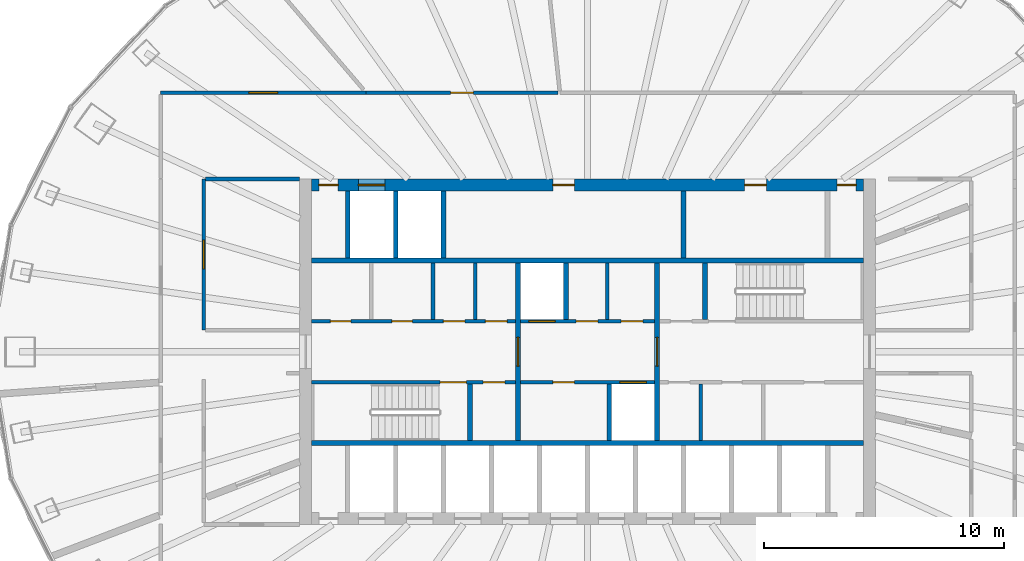
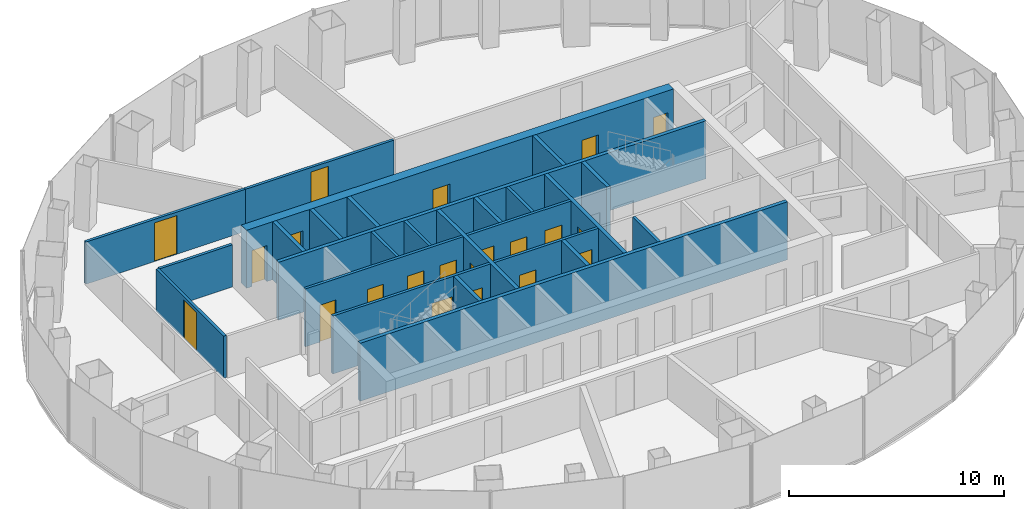
# One storey, part 9 of 12: 25 walls, 21 doors, 21 openings.
"""IFC4 building model written with IfcOpenShell, lengths in metres."""

from ifc_helpers import new_model, si_unit, direction, frame, frame_2d, origin, place, context, subcontext, project, spatial, rectangle, extrude, material, layer, layer_set, type_object, element, fill, save


model = new_model("IFC4")

# Units and contexts
model_context = context("Model", 3, precision=1e-05, world=origin(), true_north=direction((0.0, 1.0)))
body_context = subcontext(model_context, "Body", "Model", "MODEL_VIEW")
ifc_project = project(units=[si_unit("LENGTHUNIT", "METRE"), si_unit("AREAUNIT", "SQUARE_METRE"), si_unit("VOLUMEUNIT", "CUBIC_METRE"), si_unit("PLANEANGLEUNIT", "RADIAN"), si_unit("MASSUNIT", "GRAM", prefix="KILO")], contexts=[model_context])

# Site, building, storey
site_placement = place(None, origin())
site = spatial("IfcSite", under=ifc_project, at=site_placement, CompositionType="ELEMENT")
building_placement = place(site_placement, origin())
building = spatial("IfcBuilding", under=site, at=building_placement, Name="Siaravel Broadcast Tower", CompositionType="ELEMENT")
storey_placement = place(building_placement, frame((0.0, 0.0, 137.800048828125)))
storey = spatial("IfcBuildingStorey", under=building, at=storey_placement, Name="L33", CompositionType="ELEMENT", Elevation=137.800048828125)

# Walls
ifc_material_1 = material(Name="Concrete blockwork", Category="masonry")
ifc_layer_1 = layer(ifc_material_1, 0.14990234375)
ifc_layer_set_1 = layer_set([ifc_layer_1], Name="Concrete blockwork")
wall_type_1 = type_object("IfcWallType", Name="Core partition 150", PredefinedType="PARTITIONING", material=ifc_layer_set_1)
for number, where, z_axis, x_axis, name in (
    (1, (-6.445068359375, 1.35009765625, 0.0), (0.0, 0.0, 1.0), (0.0, 1.0, 0.0), "L33 core partition PNW1"),
    (2, (-4.68505859375, 1.35009765625, 0.0), (0.0, 0.0, 1.0), (0.0, 1.0, 0.0), "L33 core partition PNW2"),
    (3, (4.715087890625, -3.699951171875, 0.0), (0.0, 0.0, 1.0), (0.0, 1.0, 0.0), "L33 core partition PSE0"),
    (4, (0.827392578125, 1.35009765625, 0.0), (0.0, 0.0, 1.0), (0.0, 1.0, 0.0), "L33 core partition PNM0"),
):
    element("IfcWall", number, at=place(storey_placement, frame(where, z_axis=z_axis, x_axis=x_axis)), inside=storey, type_object=wall_type_1, Name=name, PredefinedType="PARTITIONING", context=body_context, shape_type="SweptSolid", body=[
        extrude(rectangle(XDim=2.349853515625, YDim=0.14990234375, at=frame_2d((1.1748046875, 0.0))), origin(), (0.0, 0.0, 1.0), 3.300048828125),
    ])
ifc_layer_2 = layer(ifc_material_1, 0.199951171875)
ifc_layer_set_2 = layer_set([ifc_layer_2], Name="Concrete blockwork")
wall_type_2 = type_object("IfcWallType", Name="Core partition 200", PredefinedType="PARTITIONING", material=ifc_layer_set_2)
wall_1_placement = place(storey_placement, frame((4.0, 3.89990234375, 0.0), z_axis=(0.0, 0.0, 1.0), x_axis=(0.0, 1.0, 0.0)))
element("IfcWall", 5, at=wall_1_placement, inside=storey, type_object=wall_type_2, Name="L33 core partition PFN2", PredefinedType="PARTITIONING", context=body_context, shape_type="SweptSolid", body=[
    extrude(rectangle(XDim=2.800048828125, YDim=0.199951171875, at=frame_2d((1.39990234375, 0.0))), origin(), (0.0, 0.0, 1.0), 3.300048828125),
])

# Wall, openings, doors
ifc_material_2 = material(Name="Concrete C60/75", Category="concrete")
ifc_layer_3 = layer(ifc_material_2, 0.5)
ifc_layer_set_3 = layer_set([ifc_layer_3], Name="Concrete C60/75")
wall_type_3 = type_object("IfcWallType", Name="Core wall 500", PredefinedType="SHEAR", material=ifc_layer_set_3)
wall_2_placement = place(storey_placement, frame((-11.5, 6.949951171875, 0.0), z_axis=(0.0, 0.0, 1.0), x_axis=(1.0, 0.0, 0.0)))
wall_2 = element("IfcWall", 6, at=wall_2_placement, inside=storey, type_object=wall_type_3, Name="L33 core wall ON", PredefinedType="SHEAR", context=body_context, shape_type="SweptSolid", body=[
    extrude(rectangle(XDim=23.0, YDim=0.5, at=frame_2d((11.5, 0.0))), origin(), (0.0, 0.0, 1.0), 3.300048828125),
])
opening_1_placement = place(wall_2_placement, frame((1.949951171875, 0.0, 0.0)))
opening_1 = element("IfcOpeningElement", 7, at=opening_1_placement, cuts=wall_2, Name="Opening LD-SV2-L33", PredefinedType="OPENING", context=body_context, shape_type="SweptSolid", body=[
    extrude(rectangle(XDim=1.10009765625, YDim=2.199951171875, at=frame_2d((0.550048828125, 1.10009765625))), frame((0.0, 0.260009765625, 0.0), z_axis=(0.0, -1.0, 0.0), x_axis=(1.0, 0.0, 0.0)), (0.0, 0.0, 1.0), 0.52001953125),
])
opening_2_placement = place(wall_2_placement, frame((10.050048828125, 0.0, 0.0)))
opening_2 = element("IfcOpeningElement", 8, at=opening_2_placement, cuts=wall_2, Name="Opening L33-DFN2", PredefinedType="OPENING", context=body_context, shape_type="SweptSolid", body=[
    extrude(rectangle(XDim=0.89990234375, YDim=2.10009765625, at=frame_2d((0.449951171875, 1.050048828125))), frame((0.0, 0.260009765625, 0.0), z_axis=(0.0, -1.0, 0.0), x_axis=(1.0, 0.0, 0.0)), (0.0, 0.0, 1.0), 0.52001953125),
])
opening_3_placement = place(wall_2_placement, frame((18.050048828125, 0.0, 0.0)))
opening_3 = element("IfcOpeningElement", 9, at=opening_3_placement, cuts=wall_2, Name="Opening L33-DFN7", PredefinedType="OPENING", context=body_context, shape_type="SweptSolid", body=[
    extrude(rectangle(XDim=0.89990234375, YDim=2.10009765625, at=frame_2d((0.449951171875, 1.050048828125))), frame((0.0, 0.260009765625, 0.0), z_axis=(0.0, -1.0, 0.0), x_axis=(1.0, 0.0, 0.0)), (0.0, 0.0, 1.0), 0.52001953125),
])
opening_4_placement = place(wall_2_placement, frame((0.300048828125, 0.0, 0.0)))
opening_4 = element("IfcOpeningElement", 10, at=opening_4_placement, cuts=wall_2, Name="Opening L33-DRNW", PredefinedType="OPENING", context=body_context, shape_type="SweptSolid", body=[
    extrude(rectangle(XDim=0.800048828125, YDim=2.050048828125, at=frame_2d((0.39990234375, 1.02490234375))), frame((0.0, 0.260009765625, 0.0), z_axis=(0.0, -1.0, 0.0), x_axis=(1.0, 0.0, 0.0)), (0.0, 0.0, 1.0), 0.52001953125),
])
opening_5_placement = place(wall_2_placement, frame((21.89990234375, 0.0, 0.0)))
opening_5 = element("IfcOpeningElement", 11, at=opening_5_placement, cuts=wall_2, Name="Opening L33-DRNE", PredefinedType="OPENING", context=body_context, shape_type="SweptSolid", body=[
    extrude(rectangle(XDim=0.800048828125, YDim=2.050048828125, at=frame_2d((0.39990234375, 1.02490234375))), frame((0.0, 0.260009765625, 0.0), z_axis=(0.0, -1.0, 0.0), x_axis=(1.0, 0.0, 0.0)), (0.0, 0.0, 1.0), 0.52001953125),
])
ifc_material_3 = material(Name="Timber veneer", Category="wood")
door_type_1 = type_object("IfcDoorType", Name="Core room door 900", OperationType="SINGLE_SWING_LEFT", PredefinedType="DOOR", material=ifc_material_3)
door_1_placement = place(opening_2_placement, origin())
door_1 = element("IfcDoor", 12, at=door_1_placement, inside=storey, type_object=door_type_1, Name="L33 door DFN2", OperationType="SINGLE_SWING_LEFT", OverallHeight=2.10009765625, OverallWidth=0.89990234375, PredefinedType="DOOR", context=body_context, shape_type="SweptSolid", body=[
    extrude(rectangle(XDim=0.89990234375, YDim=2.10009765625, at=frame_2d((0.449951171875, 1.050048828125))), frame((0.0, 0.02490234375, 0.0), z_axis=(0.0, -1.0, 0.0), x_axis=(1.0, 0.0, 0.0)), (0.0, 0.0, 1.0), 0.050048828125),
])
fill(opening_2, door_1)
door_2_placement = place(opening_3_placement, origin())
door_2 = element("IfcDoor", 13, at=door_2_placement, inside=storey, type_object=door_type_1, Name="L33 door DFN7", OperationType="SINGLE_SWING_LEFT", OverallHeight=2.10009765625, OverallWidth=0.89990234375, PredefinedType="DOOR", context=body_context, shape_type="SweptSolid", body=[
    extrude(rectangle(XDim=0.89990234375, YDim=2.10009765625, at=frame_2d((0.449951171875, 1.050048828125))), frame((0.0, 0.02490234375, 0.0), z_axis=(0.0, -1.0, 0.0), x_axis=(1.0, 0.0, 0.0)), (0.0, 0.0, 1.0), 0.050048828125),
])
fill(opening_3, door_2)
ifc_material_4 = material(Name="Steel", Category="steel")
door_type_2 = type_object("IfcDoorType", Name="Riser door 800", OperationType="SINGLE_SWING_LEFT", PredefinedType="DOOR", material=ifc_material_4)
door_3_placement = place(opening_4_placement, origin())
door_3 = element("IfcDoor", 14, at=door_3_placement, inside=storey, type_object=door_type_2, Name="L33 door DRNW", OperationType="SINGLE_SWING_LEFT", OverallHeight=2.050048828125, OverallWidth=0.800048828125, PredefinedType="DOOR", context=body_context, shape_type="SweptSolid", body=[
    extrude(rectangle(XDim=0.800048828125, YDim=2.050048828125, at=frame_2d((0.39990234375, 1.02490234375))), frame((0.0, 0.02490234375, 0.0), z_axis=(0.0, -1.0, 0.0), x_axis=(1.0, 0.0, 0.0)), (0.0, 0.0, 1.0), 0.050048828125),
])
fill(opening_4, door_3)
door_4_placement = place(opening_5_placement, origin())
door_4 = element("IfcDoor", 15, at=door_4_placement, inside=storey, type_object=door_type_2, Name="L33 door DRNE", OperationType="SINGLE_SWING_LEFT", OverallHeight=2.050048828125, OverallWidth=0.800048828125, PredefinedType="DOOR", context=body_context, shape_type="SweptSolid", body=[
    extrude(rectangle(XDim=0.800048828125, YDim=2.050048828125, at=frame_2d((0.39990234375, 1.02490234375))), frame((0.0, 0.02490234375, 0.0), z_axis=(0.0, -1.0, 0.0), x_axis=(1.0, 0.0, 0.0)), (0.0, 0.0, 1.0), 0.050048828125),
])
fill(opening_5, door_4)
ifc_material_5 = material(Name="Stainless steel 316L", Category="steel")
door_type_3 = type_object("IfcDoorType", Name="Service lift landing door 1100", OperationType="DOUBLE_DOOR_SLIDING", PredefinedType="DOOR", material=ifc_material_5)
door_5_placement = place(opening_1_placement, origin())
door_5 = element("IfcDoor", 16, at=door_5_placement, inside=storey, type_object=door_type_3, Name="Landing door SV2 L33", OperationType="DOUBLE_DOOR_SLIDING", OverallHeight=2.199951171875, OverallWidth=1.10009765625, PredefinedType="DOOR", context=body_context, shape_type="SweptSolid", body=[
    extrude(rectangle(XDim=1.10009765625, YDim=2.199951171875, at=frame_2d((0.550048828125, 1.10009765625))), frame((0.0, 0.02490234375, 0.0), z_axis=(0.0, -1.0, 0.0), x_axis=(1.0, 0.0, 0.0)), (0.0, 0.0, 1.0), 0.050048828125),
])
fill(opening_1, door_5)

ifc_material_6 = material(Name="Gypsum board partition", Category="gypsum")
ifc_layer_4 = layer(ifc_material_6, 0.14990234375)
ifc_layer_set_4 = layer_set([ifc_layer_4], Name="Gypsum board partition")
wall_type_4 = type_object("IfcWallType", Name="Corridor wall 150", PredefinedType="PARTITIONING", material=ifc_layer_set_4)
wall_3_placement = place(storey_placement, frame((-11.5, 1.27490234375, 0.0), z_axis=(0.0, 0.0, 1.0), x_axis=(1.0, 0.0, 0.0)))
wall_3 = element("IfcWall", 17, at=wall_3_placement, inside=storey, type_object=wall_type_4, Name="L33 core partition CNW", PredefinedType="PARTITIONING", context=body_context, shape_type="SweptSolid", body=[
    extrude(rectangle(XDim=8.5, YDim=0.14990234375, at=frame_2d((4.25, 0.0))), origin(), (0.0, 0.0, 1.0), 3.300048828125),
])
opening_6_placement = place(wall_3_placement, frame((0.782470703125, 0.0, 0.0)))
opening_6 = element("IfcOpeningElement", 18, at=opening_6_placement, cuts=wall_3, Name="Opening L33-DNW0", PredefinedType="OPENING", context=body_context, shape_type="SweptSolid", body=[
    extrude(rectangle(XDim=0.85009765625, YDim=2.10009765625, at=frame_2d((0.425048828125, 1.050048828125))), frame((0.0, 0.0849609375, 0.0), z_axis=(0.0, -1.0, 0.0), x_axis=(1.0, 0.0, 0.0)), (0.0, 0.0, 1.0), 0.169921875),
])
opening_7_placement = place(wall_3_placement, frame((3.347412109375, 0.0, 0.0)))
opening_7 = element("IfcOpeningElement", 19, at=opening_7_placement, cuts=wall_3, Name="Opening L33-DNW1", PredefinedType="OPENING", context=body_context, shape_type="SweptSolid", body=[
    extrude(rectangle(XDim=0.85009765625, YDim=2.10009765625, at=frame_2d((0.425048828125, 1.050048828125))), frame((0.0, 0.0849609375, 0.0), z_axis=(0.0, -1.0, 0.0), x_axis=(1.0, 0.0, 0.0)), (0.0, 0.0, 1.0), 0.169921875),
])
opening_8_placement = place(wall_3_placement, frame((5.485107421875, 0.0, 0.0)))
opening_8 = element("IfcOpeningElement", 20, at=opening_8_placement, cuts=wall_3, Name="Opening L33-DNW2", PredefinedType="OPENING", context=body_context, shape_type="SweptSolid", body=[
    extrude(rectangle(XDim=0.89990234375, YDim=2.10009765625, at=frame_2d((0.449951171875, 1.050048828125))), frame((0.0, 0.0849609375, 0.0), z_axis=(0.0, -1.0, 0.0), x_axis=(1.0, 0.0, 0.0)), (0.0, 0.0, 1.0), 0.169921875),
])
opening_9_placement = place(wall_3_placement, frame((7.2451171875, 0.0, 0.0)))
opening_9 = element("IfcOpeningElement", 21, at=opening_9_placement, cuts=wall_3, Name="Opening L33-DNW3", PredefinedType="OPENING", context=body_context, shape_type="SweptSolid", body=[
    extrude(rectangle(XDim=0.89990234375, YDim=2.10009765625, at=frame_2d((0.449951171875, 1.050048828125))), frame((0.0, 0.0849609375, 0.0), z_axis=(0.0, -1.0, 0.0), x_axis=(1.0, 0.0, 0.0)), (0.0, 0.0, 1.0), 0.169921875),
])
door_6_placement = place(opening_8_placement, origin())
door_6 = element("IfcDoor", 22, at=door_6_placement, inside=storey, type_object=door_type_1, Name="L33 door DNW2", OperationType="SINGLE_SWING_LEFT", OverallHeight=2.10009765625, OverallWidth=0.89990234375, PredefinedType="DOOR", context=body_context, shape_type="SweptSolid", body=[
    extrude(rectangle(XDim=0.89990234375, YDim=2.10009765625, at=frame_2d((0.449951171875, 1.050048828125))), frame((0.0, 0.02490234375, 0.0), z_axis=(0.0, -1.0, 0.0), x_axis=(1.0, 0.0, 0.0)), (0.0, 0.0, 1.0), 0.050048828125),
])
fill(opening_8, door_6)
door_7_placement = place(opening_9_placement, origin())
door_7 = element("IfcDoor", 23, at=door_7_placement, inside=storey, type_object=door_type_1, Name="L33 door DNW3", OperationType="SINGLE_SWING_LEFT", OverallHeight=2.10009765625, OverallWidth=0.89990234375, PredefinedType="DOOR", context=body_context, shape_type="SweptSolid", body=[
    extrude(rectangle(XDim=0.89990234375, YDim=2.10009765625, at=frame_2d((0.449951171875, 1.050048828125))), frame((0.0, 0.02490234375, 0.0), z_axis=(0.0, -1.0, 0.0), x_axis=(1.0, 0.0, 0.0)), (0.0, 0.0, 1.0), 0.050048828125),
])
fill(opening_9, door_7)
door_type_4 = type_object("IfcDoorType", Name="Core toilet door 850", OperationType="SINGLE_SWING_LEFT", PredefinedType="DOOR", material=ifc_material_3)
door_8_placement = place(opening_6_placement, origin())
door_8 = element("IfcDoor", 24, at=door_8_placement, inside=storey, type_object=door_type_4, Name="L33 door DNW0", OperationType="SINGLE_SWING_LEFT", OverallHeight=2.10009765625, OverallWidth=0.85009765625, PredefinedType="DOOR", context=body_context, shape_type="SweptSolid", body=[
    extrude(rectangle(XDim=0.85009765625, YDim=2.10009765625, at=frame_2d((0.425048828125, 1.050048828125))), frame((0.0, 0.02490234375, 0.0), z_axis=(0.0, -1.0, 0.0), x_axis=(1.0, 0.0, 0.0)), (0.0, 0.0, 1.0), 0.050048828125),
])
fill(opening_6, door_8)
door_9_placement = place(opening_7_placement, origin())
door_9 = element("IfcDoor", 25, at=door_9_placement, inside=storey, type_object=door_type_4, Name="L33 door DNW1", OperationType="SINGLE_SWING_LEFT", OverallHeight=2.10009765625, OverallWidth=0.85009765625, PredefinedType="DOOR", context=body_context, shape_type="SweptSolid", body=[
    extrude(rectangle(XDim=0.85009765625, YDim=2.10009765625, at=frame_2d((0.425048828125, 1.050048828125))), frame((0.0, 0.02490234375, 0.0), z_axis=(0.0, -1.0, 0.0), x_axis=(1.0, 0.0, 0.0)), (0.0, 0.0, 1.0), 0.050048828125),
])
fill(opening_7, door_9)

# Wall, opening, door
wall_4_placement = place(storey_placement, frame((-9.232177734375, 10.800048828125, 0.0), z_axis=(0.0, 0.0, 1.0), x_axis=(-1.0, 0.0, 0.0)))
wall_4 = element("IfcWall", 26, at=wall_4_placement, inside=storey, type_object=wall_type_4, Name="L33 partition 7", PredefinedType="PARTITIONING", context=body_context, shape_type="SweptSolid", body=[
    extrude(rectangle(XDim=8.56787109375, YDim=0.14990234375, at=frame_2d((4.283935546875, 0.0))), origin(), (0.0, 0.0, 1.0), 2.39990234375),
])
opening_10_placement = place(wall_4_placement, frame((3.683837890625, 0.0, 0.0)))
opening_10 = element("IfcOpeningElement", 27, at=opening_10_placement, cuts=wall_4, Name="Opening L33-003", PredefinedType="OPENING", context=body_context, shape_type="SweptSolid", body=[
    extrude(rectangle(XDim=1.199951171875, YDim=2.199951171875, at=frame_2d((0.60009765625, 1.10009765625))), frame((0.0, 0.0849609375, 0.0), z_axis=(0.0, -1.0, 0.0), x_axis=(1.0, 0.0, 0.0)), (0.0, 0.0, 1.0), 0.169921875),
])
door_type_5 = type_object("IfcDoorType", Name="Office double door 1200", OperationType="DOUBLE_DOOR_SINGLE_SWING", PredefinedType="DOOR", material=ifc_material_3)
door_10_placement = place(opening_10_placement, origin())
door_10 = element("IfcDoor", 28, at=door_10_placement, inside=storey, type_object=door_type_5, Name="L33 door to Open plan production office", OperationType="DOUBLE_DOOR_SINGLE_SWING", OverallHeight=2.199951171875, OverallWidth=1.199951171875, PredefinedType="DOOR", context=body_context, shape_type="SweptSolid", body=[
    extrude(rectangle(XDim=1.199951171875, YDim=2.199951171875, at=frame_2d((0.60009765625, 1.10009765625))), frame((0.0, 0.02490234375, 0.0), z_axis=(0.0, -1.0, 0.0), x_axis=(1.0, 0.0, 0.0)), (0.0, 0.0, 1.0), 0.050048828125),
])
fill(opening_10, door_10)

wall_5_placement = place(storey_placement, frame((-1.239013671875, 10.800048828125, 0.0), z_axis=(0.0, 0.0, 1.0), x_axis=(-1.0, 0.0, 0.0)))
wall_5 = element("IfcWall", 29, at=wall_5_placement, inside=storey, type_object=wall_type_4, Name="L33 partition 10", PredefinedType="PARTITIONING", context=body_context, shape_type="SweptSolid", body=[
    extrude(rectangle(XDim=7.9921875, YDim=0.14990234375, at=frame_2d((3.99609375, 0.0))), origin(), (0.0, 0.0, 1.0), 2.39990234375),
])
opening_11_placement = place(wall_5_placement, frame((3.52099609375, 0.0, 0.0)))
opening_11 = element("IfcOpeningElement", 30, at=opening_11_placement, cuts=wall_5, Name="Opening L33-002", PredefinedType="OPENING", context=body_context, shape_type="SweptSolid", body=[
    extrude(rectangle(XDim=0.949951171875, YDim=2.14990234375, at=frame_2d((0.47509765625, 1.074951171875))), frame((0.0, 0.0849609375, 0.0), z_axis=(0.0, -1.0, 0.0), x_axis=(1.0, 0.0, 0.0)), (0.0, 0.0, 1.0), 0.169921875),
])
door_type_6 = type_object("IfcDoorType", Name="Office door 950", OperationType="SINGLE_SWING_LEFT", PredefinedType="DOOR", material=ifc_material_3)
door_11_placement = place(opening_11_placement, origin())
door_11 = element("IfcDoor", 31, at=door_11_placement, inside=storey, type_object=door_type_6, Name="L33 door to Design studio", OperationType="SINGLE_SWING_RIGHT", OverallHeight=2.14990234375, OverallWidth=0.949951171875, PredefinedType="DOOR", context=body_context, shape_type="SweptSolid", body=[
    extrude(rectangle(XDim=0.949951171875, YDim=2.14990234375, at=frame_2d((0.47509765625, 1.074951171875))), frame((0.0, 0.02490234375, 0.0), z_axis=(0.0, -1.0, 0.0), x_axis=(1.0, 0.0, 0.0)), (0.0, 0.0, 1.0), 0.050048828125),
])
fill(opening_11, door_11)

wall_6_placement = place(storey_placement, frame((-16.0, 0.89990234375, 0.0), z_axis=(0.0, 0.0, 1.0), x_axis=(0.0, 1.0, 0.0)))
wall_6 = element("IfcWall", 32, at=wall_6_placement, inside=storey, type_object=wall_type_4, Name="L33 partition 15", PredefinedType="PARTITIONING", context=body_context, shape_type="SweptSolid", body=[
    extrude(rectangle(XDim=6.300048828125, YDim=0.14990234375, at=frame_2d((3.14990234375, 0.0))), origin(), (0.0, 0.0, 1.0), 2.39990234375),
])
opening_12_placement = place(wall_6_placement, frame((2.550048828125, 0.0, 0.0)))
opening_12 = element("IfcOpeningElement", 33, at=opening_12_placement, cuts=wall_6, Name="Opening L33-005", PredefinedType="OPENING", context=body_context, shape_type="SweptSolid", body=[
    extrude(rectangle(XDim=1.199951171875, YDim=2.199951171875, at=frame_2d((0.60009765625, 1.10009765625))), frame((0.0, 0.0849609375, 0.0), z_axis=(0.0, -1.0, 0.0), x_axis=(1.0, 0.0, 0.0)), (0.0, 0.0, 1.0), 0.169921875),
])
door_12_placement = place(opening_12_placement, origin())
door_12 = element("IfcDoor", 34, at=door_12_placement, inside=storey, type_object=door_type_5, Name="L33 door to Open plan production office", OperationType="DOUBLE_DOOR_SINGLE_SWING", OverallHeight=2.199951171875, OverallWidth=1.199951171875, PredefinedType="DOOR", context=body_context, shape_type="SweptSolid", body=[
    extrude(rectangle(XDim=1.199951171875, YDim=2.199951171875, at=frame_2d((0.60009765625, 1.10009765625))), frame((0.0, 0.02490234375, 0.0), z_axis=(0.0, -1.0, 0.0), x_axis=(1.0, 0.0, 0.0)), (0.0, 0.0, 1.0), 0.050048828125),
])
fill(opening_12, door_12)

# Wall
wall_7_placement = place(storey_placement, frame((-15.923095703125, 7.199951171875, 0.0), z_axis=(0.0, 0.0, 1.0), x_axis=(1.0, 0.0, 0.0)))
element("IfcWall", 35, at=wall_7_placement, inside=storey, type_object=wall_type_4, Name="L33 partition 27", PredefinedType="PARTITIONING", context=body_context, shape_type="SweptSolid", body=[
    extrude(rectangle(XDim=3.923095703125, YDim=0.14990234375, at=frame_2d((1.96142578125, 0.0))), origin(), (0.0, 0.0, 1.0), 2.39990234375),
])

# Wall, openings, doors
ifc_layer_5 = layer(ifc_material_2, 0.14990234375)
ifc_layer_set_5 = layer_set([ifc_layer_5], Name="Concrete C60/75")
wall_type_5 = type_object("IfcWallType", Name="Shaft wall 150", PredefinedType="SHEAR", material=ifc_layer_set_5)
wall_8_placement = place(storey_placement, frame((-11.5, -1.27490234375, 0.0), z_axis=(0.0, 0.0, 1.0), x_axis=(1.0, 0.0, 0.0)))
wall_8 = element("IfcWall", 36, at=wall_8_placement, inside=storey, type_object=wall_type_5, Name="L33 core wall CSW", PredefinedType="SHEAR", context=body_context, shape_type="SweptSolid", body=[
    extrude(rectangle(XDim=8.5, YDim=0.14990234375, at=frame_2d((4.25, 0.0))), origin(), (0.0, 0.0, 1.0), 3.300048828125),
])
opening_13_placement = place(wall_8_placement, frame((5.35009765625, 0.0, 0.0)))
opening_13 = element("IfcOpeningElement", 37, at=opening_13_placement, cuts=wall_8, Name="Opening L33-DS-1", PredefinedType="OPENING", context=body_context, shape_type="SweptSolid", body=[
    extrude(rectangle(XDim=1.10009765625, YDim=2.14990234375, at=frame_2d((0.550048828125, 1.074951171875))), frame((0.0, 0.0849609375, 0.0), z_axis=(0.0, -1.0, 0.0), x_axis=(1.0, 0.0, 0.0)), (0.0, 0.0, 1.0), 0.169921875),
])
opening_14_placement = place(wall_8_placement, frame((7.14990234375, 0.0, 0.0)))
opening_14 = element("IfcOpeningElement", 38, at=opening_14_placement, cuts=wall_8, Name="Opening L33-DSW0", PredefinedType="OPENING", context=body_context, shape_type="SweptSolid", body=[
    extrude(rectangle(XDim=0.89990234375, YDim=2.10009765625, at=frame_2d((0.449951171875, 1.050048828125))), frame((0.0, 0.0849609375, 0.0), z_axis=(0.0, -1.0, 0.0), x_axis=(1.0, 0.0, 0.0)), (0.0, 0.0, 1.0), 0.169921875),
])
door_13_placement = place(opening_14_placement, origin())
door_13 = element("IfcDoor", 39, at=door_13_placement, inside=storey, type_object=door_type_1, Name="L33 door DSW0", OperationType="SINGLE_SWING_LEFT", OverallHeight=2.10009765625, OverallWidth=0.89990234375, PredefinedType="DOOR", context=body_context, shape_type="SweptSolid", body=[
    extrude(rectangle(XDim=0.89990234375, YDim=2.10009765625, at=frame_2d((0.449951171875, 1.050048828125))), frame((0.0, 0.02490234375, 0.0), z_axis=(0.0, -1.0, 0.0), x_axis=(1.0, 0.0, 0.0)), (0.0, 0.0, 1.0), 0.050048828125),
])
fill(opening_14, door_13)
door_type_7 = type_object("IfcDoorType", Name="Stair door 1100", OperationType="SINGLE_SWING_LEFT", PredefinedType="DOOR", material=ifc_material_4)
door_14_placement = place(opening_13_placement, origin())
door_14 = element("IfcDoor", 40, at=door_14_placement, inside=storey, type_object=door_type_7, Name="L33 door DS-1", OperationType="SINGLE_SWING_LEFT", OverallHeight=2.14990234375, OverallWidth=1.10009765625, PredefinedType="DOOR", context=body_context, shape_type="SweptSolid", body=[
    extrude(rectangle(XDim=1.10009765625, YDim=2.14990234375, at=frame_2d((0.550048828125, 1.074951171875))), frame((0.0, 0.02490234375, 0.0), z_axis=(0.0, -1.0, 0.0), x_axis=(1.0, 0.0, 0.0)), (0.0, 0.0, 1.0), 0.050048828125),
])
fill(opening_13, door_14)

wall_9_placement = place(storey_placement, frame((-2.800048828125, -1.27490234375, 0.0), z_axis=(0.0, 0.0, 1.0), x_axis=(1.0, 0.0, 0.0)))
wall_9 = element("IfcWall", 41, at=wall_9_placement, inside=storey, type_object=wall_type_5, Name="L33 core wall CSM", PredefinedType="SHEAR", context=body_context, shape_type="SweptSolid", body=[
    extrude(rectangle(XDim=5.60009765625, YDim=0.14990234375, at=frame_2d((2.800048828125, 0.0))), origin(), (0.0, 0.0, 1.0), 3.300048828125),
])
opening_15_placement = place(wall_9_placement, frame((4.14990234375, 0.0, 0.0)))
opening_15 = element("IfcOpeningElement", 42, at=opening_15_placement, cuts=wall_9, Name="Opening LD-FL2-L33", PredefinedType="OPENING", context=body_context, shape_type="SweptSolid", body=[
    extrude(rectangle(XDim=1.10009765625, YDim=2.199951171875, at=frame_2d((0.550048828125, 1.10009765625))), frame((0.0, 0.0849609375, 0.0), z_axis=(0.0, -1.0, 0.0), x_axis=(1.0, 0.0, 0.0)), (0.0, 0.0, 1.0), 0.169921875),
])
opening_16_placement = place(wall_9_placement, frame((1.35009765625, 0.0, 0.0)))
opening_16 = element("IfcOpeningElement", 43, at=opening_16_placement, cuts=wall_9, Name="Opening L33-DSM0", PredefinedType="OPENING", context=body_context, shape_type="SweptSolid", body=[
    extrude(rectangle(XDim=0.89990234375, YDim=2.10009765625, at=frame_2d((0.449951171875, 1.050048828125))), frame((0.0, 0.0849609375, 0.0), z_axis=(0.0, -1.0, 0.0), x_axis=(1.0, 0.0, 0.0)), (0.0, 0.0, 1.0), 0.169921875),
])
door_15_placement = place(opening_16_placement, origin())
door_15 = element("IfcDoor", 44, at=door_15_placement, inside=storey, type_object=door_type_1, Name="L33 door DSM0", OperationType="SINGLE_SWING_LEFT", OverallHeight=2.10009765625, OverallWidth=0.89990234375, PredefinedType="DOOR", context=body_context, shape_type="SweptSolid", body=[
    extrude(rectangle(XDim=0.89990234375, YDim=2.10009765625, at=frame_2d((0.449951171875, 1.050048828125))), frame((0.0, 0.02490234375, 0.0), z_axis=(0.0, -1.0, 0.0), x_axis=(1.0, 0.0, 0.0)), (0.0, 0.0, 1.0), 0.050048828125),
])
fill(opening_16, door_15)
door_type_8 = type_object("IfcDoorType", Name="Firefighting lift landing door 1100", OperationType="DOUBLE_DOOR_SLIDING", PredefinedType="DOOR", material=ifc_material_5)
door_16_placement = place(opening_15_placement, origin())
door_16 = element("IfcDoor", 45, at=door_16_placement, inside=storey, type_object=door_type_8, Name="Landing door FL2 L33", OperationType="DOUBLE_DOOR_SLIDING", OverallHeight=2.199951171875, OverallWidth=1.10009765625, PredefinedType="DOOR", context=body_context, shape_type="SweptSolid", body=[
    extrude(rectangle(XDim=1.10009765625, YDim=2.199951171875, at=frame_2d((0.550048828125, 1.10009765625))), frame((0.0, 0.02490234375, 0.0), z_axis=(0.0, -1.0, 0.0), x_axis=(1.0, 0.0, 0.0)), (0.0, 0.0, 1.0), 0.050048828125),
])
fill(opening_15, door_16)

wall_10_placement = place(storey_placement, frame((-2.800048828125, 1.27490234375, 0.0), z_axis=(0.0, 0.0, 1.0), x_axis=(1.0, 0.0, 0.0)))
wall_10 = element("IfcWall", 46, at=wall_10_placement, inside=storey, type_object=wall_type_5, Name="L33 core wall CNM", PredefinedType="SHEAR", context=body_context, shape_type="SweptSolid", body=[
    extrude(rectangle(XDim=5.60009765625, YDim=0.14990234375, at=frame_2d((2.800048828125, 0.0))), origin(), (0.0, 0.0, 1.0), 3.300048828125),
])
opening_17_placement = place(wall_10_placement, frame((0.35009765625, 0.0, 0.0)))
opening_17 = element("IfcOpeningElement", 47, at=opening_17_placement, cuts=wall_10, Name="Opening LD-FL1-L33", PredefinedType="OPENING", context=body_context, shape_type="SweptSolid", body=[
    extrude(rectangle(XDim=1.10009765625, YDim=2.199951171875, at=frame_2d((0.550048828125, 1.10009765625))), frame((0.0, 0.0849609375, 0.0), z_axis=(0.0, -1.0, 0.0), x_axis=(1.0, 0.0, 0.0)), (0.0, 0.0, 1.0), 0.169921875),
])
opening_18_placement = place(wall_10_placement, frame((2.326171875, 0.0, 0.0)))
opening_18 = element("IfcOpeningElement", 48, at=opening_18_placement, cuts=wall_10, Name="Opening L33-DNM0", PredefinedType="OPENING", context=body_context, shape_type="SweptSolid", body=[
    extrude(rectangle(XDim=0.89990234375, YDim=2.10009765625, at=frame_2d((0.449951171875, 1.050048828125))), frame((0.0, 0.0849609375, 0.0), z_axis=(0.0, -1.0, 0.0), x_axis=(1.0, 0.0, 0.0)), (0.0, 0.0, 1.0), 0.169921875),
])
opening_19_placement = place(wall_10_placement, frame((4.201171875, 0.0, 0.0)))
opening_19 = element("IfcOpeningElement", 49, at=opening_19_placement, cuts=wall_10, Name="Opening L33-DNM1", PredefinedType="OPENING", context=body_context, shape_type="SweptSolid", body=[
    extrude(rectangle(XDim=0.89990234375, YDim=2.10009765625, at=frame_2d((0.449951171875, 1.050048828125))), frame((0.0, 0.0849609375, 0.0), z_axis=(0.0, -1.0, 0.0), x_axis=(1.0, 0.0, 0.0)), (0.0, 0.0, 1.0), 0.169921875),
])
door_17_placement = place(opening_18_placement, origin())
door_17 = element("IfcDoor", 50, at=door_17_placement, inside=storey, type_object=door_type_1, Name="L33 door DNM0", OperationType="SINGLE_SWING_LEFT", OverallHeight=2.10009765625, OverallWidth=0.89990234375, PredefinedType="DOOR", context=body_context, shape_type="SweptSolid", body=[
    extrude(rectangle(XDim=0.89990234375, YDim=2.10009765625, at=frame_2d((0.449951171875, 1.050048828125))), frame((0.0, 0.02490234375, 0.0), z_axis=(0.0, -1.0, 0.0), x_axis=(1.0, 0.0, 0.0)), (0.0, 0.0, 1.0), 0.050048828125),
])
fill(opening_18, door_17)
door_18_placement = place(opening_19_placement, origin())
door_18 = element("IfcDoor", 51, at=door_18_placement, inside=storey, type_object=door_type_1, Name="L33 door DNM1", OperationType="SINGLE_SWING_LEFT", OverallHeight=2.10009765625, OverallWidth=0.89990234375, PredefinedType="DOOR", context=body_context, shape_type="SweptSolid", body=[
    extrude(rectangle(XDim=0.89990234375, YDim=2.10009765625, at=frame_2d((0.449951171875, 1.050048828125))), frame((0.0, 0.02490234375, 0.0), z_axis=(0.0, -1.0, 0.0), x_axis=(1.0, 0.0, 0.0)), (0.0, 0.0, 1.0), 0.050048828125),
])
fill(opening_19, door_18)
door_19_placement = place(opening_17_placement, origin())
door_19 = element("IfcDoor", 52, at=door_19_placement, inside=storey, type_object=door_type_8, Name="Landing door FL1 L33", OperationType="DOUBLE_DOOR_SLIDING", OverallHeight=2.199951171875, OverallWidth=1.10009765625, PredefinedType="DOOR", context=body_context, shape_type="SweptSolid", body=[
    extrude(rectangle(XDim=1.10009765625, YDim=2.199951171875, at=frame_2d((0.550048828125, 1.10009765625))), frame((0.0, 0.02490234375, 0.0), z_axis=(0.0, -1.0, 0.0), x_axis=(1.0, 0.0, 0.0)), (0.0, 0.0, 1.0), 0.050048828125),
])
fill(opening_17, door_19)

# Walls
ifc_layer_6 = layer(ifc_material_2, 0.199951171875)
ifc_layer_set_6 = layer_set([ifc_layer_6], Name="Concrete C60/75")
wall_type_6 = type_object("IfcWallType", Name="Shaft wall 200", PredefinedType="SHEAR", material=ifc_layer_set_6)
for number, where, z_axis, x_axis, name in (
    (53, (-11.5, -3.800048828125, 0.0), (0.0, 0.0, 1.0), (1.0, 0.0, 0.0), "L33 core wall BS"),
    (54, (-11.5, 3.800048828125, 0.0), (0.0, 0.0, 1.0), (1.0, 0.0, 0.0), "L33 core wall BN"),
):
    element("IfcWall", number, at=place(storey_placement, frame(where, z_axis=z_axis, x_axis=x_axis)), inside=storey, type_object=wall_type_6, Name=name, PredefinedType="SHEAR", context=body_context, shape_type="SweptSolid", body=[
        extrude(rectangle(XDim=23.0, YDim=0.199951171875, at=frame_2d((11.5, 0.0))), origin(), (0.0, 0.0, 1.0), 3.300048828125),
    ])
for number, where, z_axis, x_axis, name in (
    (55, (-10.0, 3.89990234375, 0.0), (0.0, 0.0, 1.0), (0.0, 1.0, 0.0), "L33 core wall SWN0"),
    (56, (-8.0, 3.89990234375, 0.0), (0.0, 0.0, 1.0), (0.0, 1.0, 0.0), "L33 core wall SWN1"),
    (57, (-6.0, 3.89990234375, 0.0), (0.0, 0.0, 1.0), (0.0, 1.0, 0.0), "L33 core wall SWN2"),
):
    element("IfcWall", number, at=place(storey_placement, frame(where, z_axis=z_axis, x_axis=x_axis)), inside=storey, type_object=wall_type_6, Name=name, PredefinedType="SHEAR", context=body_context, shape_type="SweptSolid", body=[
        extrude(rectangle(XDim=2.800048828125, YDim=0.199951171875, at=frame_2d((1.39990234375, 0.0))), origin(), (0.0, 0.0, 1.0), 3.300048828125),
    ])

# Wall, opening, door
wall_11_placement = place(storey_placement, frame((-2.89990234375, -3.699951171875, 0.0), z_axis=(0.0, 0.0, 1.0), x_axis=(0.0, 1.0, 0.0)))
wall_11 = element("IfcWall", 58, at=wall_11_placement, inside=storey, type_object=wall_type_6, Name="L33 core wall LW", PredefinedType="SHEAR", context=body_context, shape_type="SweptSolid", body=[
    extrude(rectangle(XDim=7.39990234375, YDim=0.199951171875, at=frame_2d((3.699951171875, 0.0))), origin(), (0.0, 0.0, 1.0), 3.300048828125),
])
opening_20_placement = place(wall_11_placement, frame((3.10009765625, 0.0, 0.0)))
opening_20 = element("IfcOpeningElement", 59, at=opening_20_placement, cuts=wall_11, Name="Opening L33-DL-W", PredefinedType="OPENING", context=body_context, shape_type="SweptSolid", body=[
    extrude(rectangle(XDim=1.199951171875, YDim=2.199951171875, at=frame_2d((0.60009765625, 1.10009765625))), frame((0.0, 0.10986328125, 0.0), z_axis=(0.0, -1.0, 0.0), x_axis=(1.0, 0.0, 0.0)), (0.0, 0.0, 1.0), 0.219970703125),
])
door_type_9 = type_object("IfcDoorType", Name="Firefighting lobby door 1200", OperationType="SINGLE_SWING_LEFT", PredefinedType="DOOR", material=ifc_material_4)
door_20_placement = place(opening_20_placement, origin())
door_20 = element("IfcDoor", 60, at=door_20_placement, inside=storey, type_object=door_type_9, Name="L33 door DL-W", OperationType="SINGLE_SWING_LEFT", OverallHeight=2.199951171875, OverallWidth=1.199951171875, PredefinedType="DOOR", context=body_context, shape_type="SweptSolid", body=[
    extrude(rectangle(XDim=1.199951171875, YDim=2.199951171875, at=frame_2d((0.60009765625, 1.10009765625))), frame((0.0, 0.02490234375, 0.0), z_axis=(0.0, -1.0, 0.0), x_axis=(1.0, 0.0, 0.0)), (0.0, 0.0, 1.0), 0.050048828125),
])
fill(opening_20, door_20)

wall_12_placement = place(storey_placement, frame((2.89990234375, -3.699951171875, 0.0), z_axis=(0.0, 0.0, 1.0), x_axis=(0.0, 1.0, 0.0)))
wall_12 = element("IfcWall", 61, at=wall_12_placement, inside=storey, type_object=wall_type_6, Name="L33 core wall LE", PredefinedType="SHEAR", context=body_context, shape_type="SweptSolid", body=[
    extrude(rectangle(XDim=7.39990234375, YDim=0.199951171875, at=frame_2d((3.699951171875, 0.0))), origin(), (0.0, 0.0, 1.0), 3.300048828125),
])
opening_21_placement = place(wall_12_placement, frame((3.10009765625, 0.0, 0.0)))
opening_21 = element("IfcOpeningElement", 62, at=opening_21_placement, cuts=wall_12, Name="Opening L33-DL-E", PredefinedType="OPENING", context=body_context, shape_type="SweptSolid", body=[
    extrude(rectangle(XDim=1.199951171875, YDim=2.199951171875, at=frame_2d((0.60009765625, 1.10009765625))), frame((0.0, 0.10986328125, 0.0), z_axis=(0.0, -1.0, 0.0), x_axis=(1.0, 0.0, 0.0)), (0.0, 0.0, 1.0), 0.219970703125),
])
door_21_placement = place(opening_21_placement, origin())
door_21 = element("IfcDoor", 63, at=door_21_placement, inside=storey, type_object=door_type_9, Name="L33 door DL-E", OperationType="SINGLE_SWING_LEFT", OverallHeight=2.199951171875, OverallWidth=1.199951171875, PredefinedType="DOOR", context=body_context, shape_type="SweptSolid", body=[
    extrude(rectangle(XDim=1.199951171875, YDim=2.199951171875, at=frame_2d((0.60009765625, 1.10009765625))), frame((0.0, 0.02490234375, 0.0), z_axis=(0.0, -1.0, 0.0), x_axis=(1.0, 0.0, 0.0)), (0.0, 0.0, 1.0), 0.050048828125),
])
fill(opening_21, door_21)

# Walls
for number, where, z_axis, x_axis, name in (
    (64, (-0.89990234375, 1.35009765625, 0.0), (0.0, 0.0, 1.0), (0.0, 1.0, 0.0), "L33 core wall FF1E"),
    (65, (0.89990234375, -3.699951171875, 0.0), (0.0, 0.0, 1.0), (0.0, 1.0, 0.0), "L33 core wall FF2W"),
    (66, (-4.89990234375, -3.699951171875, 0.0), (0.0, 0.0, 1.0), (0.0, 1.0, 0.0), "L33 core wall ST1E"),
    (67, (4.89990234375, 1.35009765625, 0.0), (0.0, 0.0, 1.0), (0.0, 1.0, 0.0), "L33 core wall ST2W"),
):
    element("IfcWall", number, at=place(storey_placement, frame(where, z_axis=z_axis, x_axis=x_axis)), inside=storey, type_object=wall_type_6, Name=name, PredefinedType="SHEAR", context=body_context, shape_type="SweptSolid", body=[
        extrude(rectangle(XDim=2.349853515625, YDim=0.199951171875, at=frame_2d((1.1748046875, 0.0))), origin(), (0.0, 0.0, 1.0), 3.300048828125),
    ])

save(model, "model.ifc")
